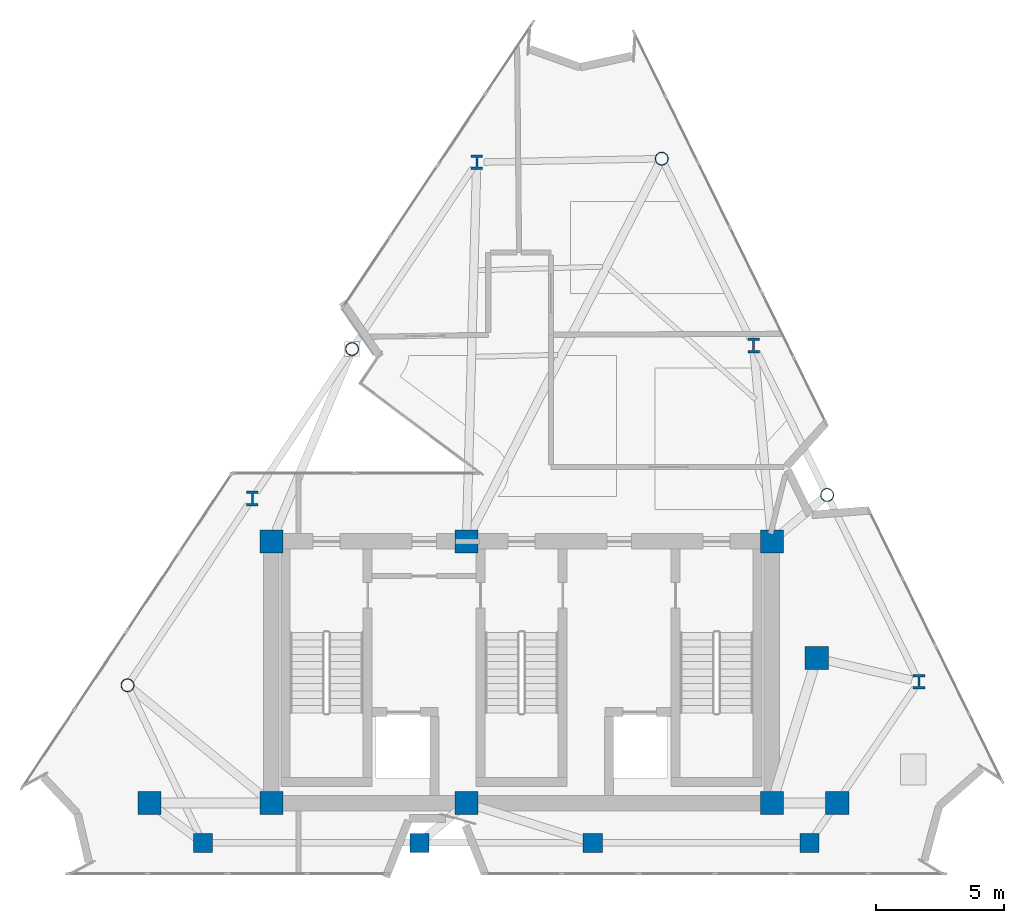
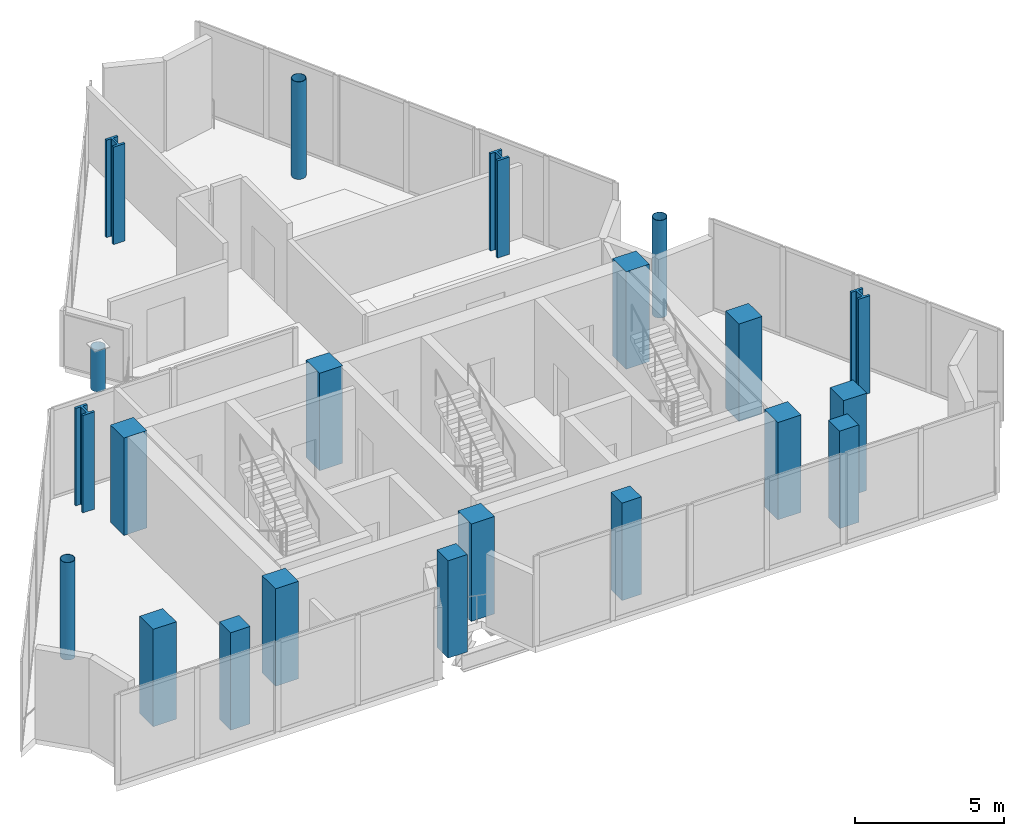
# One storey, part 1 of 9: 21 columns.
"""IFC4 building model written with IfcOpenShell, lengths in metres."""

from ifc_helpers import new_model, si_unit, direction, frame, origin, origin_2d, place, context, subcontext, project, spatial, rectangle, hollow_circle, i_section, extrude, material, material_profile, profile_set, type_object, element, save


model = new_model("IFC4")

# Units and contexts
model_context = context("Model", 3, precision=1e-05, world=origin(), true_north=direction((0.0, 1.0)))
body_context = subcontext(model_context, "Body", "Model", "MODEL_VIEW")
ifc_project = project(units=[si_unit("LENGTHUNIT", "METRE"), si_unit("AREAUNIT", "SQUARE_METRE"), si_unit("VOLUMEUNIT", "CUBIC_METRE"), si_unit("PLANEANGLEUNIT", "RADIAN"), si_unit("MASSUNIT", "GRAM", prefix="KILO")], contexts=[model_context])

# Site, building, storey
site_placement = place(None, origin())
site = spatial("IfcSite", under=ifc_project, at=site_placement, CompositionType="ELEMENT")
building_placement = place(site_placement, origin())
building = spatial("IfcBuilding", under=site, at=building_placement, Name="Almagre Mirador Tower", CompositionType="ELEMENT")
storey_placement = place(building_placement, frame((0.0, 0.0, 314.5)))
storey = spatial("IfcBuildingStorey", under=building, at=storey_placement, Name="L81", CompositionType="ELEMENT", Elevation=314.5)

# Columns
ifc_material_1 = material(Name="Concrete C60/75", Category="concrete")
ifc_material_profile_1 = material_profile(ifc_material_1, rectangle(XDim=0.75, YDim=0.75, at=origin_2d()), Name="RC750X750")
ifc_profile_set_1 = profile_set([ifc_material_profile_1], Name="Concrete C60/75")
column_type_1 = type_object("IfcColumnType", Name="COL-RC750", PredefinedType="COLUMN", material=ifc_profile_set_1)
for number, where, z_axis, x_axis, name in (
    (1, (24.884033203125, 3.0, 0.0), (0.0, 0.0, 1.0), (1.0, 0.0, 0.0), "L81 perimeter column PC01"),
    (2, (33.323974609375, 3.0, 0.0), (0.0, 0.0, 1.0), (1.0, 0.0, 0.0), "L81 perimeter column PC02"),
    (3, (40.075927734375, 3.0, 0.0), (0.0, 0.0, 1.0), (1.0, 0.0, 0.0), "L81 perimeter column PC03"),
    (4, (48.51611328125, 3.0, 0.0), (0.0, 0.0, 1.0), (1.0, 0.0, 0.0), "L81 perimeter column PC04"),
):
    element("IfcColumn", number, at=place(storey_placement, frame(where, z_axis=z_axis, x_axis=x_axis)), inside=storey, type_object=column_type_1, Name=name, PredefinedType="COLUMN", context=body_context, shape_type="SweptSolid", body=[
        extrude(rectangle(XDim=0.75, YDim=0.75, at=origin_2d()), origin(), (0.0, 0.0, 1.0), 4.0),
    ])
ifc_material_2 = material(Name="Concrete C60/75", Category="concrete")
ifc_material_profile_2 = material_profile(ifc_material_2, rectangle(XDim=0.89990234375, YDim=0.89990234375, at=origin_2d()), Name="RC900X900")
ifc_profile_set_2 = profile_set([ifc_material_profile_2], Name="Concrete C60/75")
column_type_2 = type_object("IfcColumnType", Name="COL-RC900", PredefinedType="COLUMN", material=ifc_profile_set_2)
for number, where, z_axis, x_axis, name in (
    (5, (27.550048828125, 4.550048828125, 0.0), (0.0, 0.0, 1.0), (1.0, 0.0, 0.0), "L81 core spine column CC1"),
    (6, (35.14990234375, 4.550048828125, 0.0), (0.0, 0.0, 1.0), (1.0, 0.0, 0.0), "L81 core spine column CC2"),
    (7, (47.050048828125, 4.550048828125, 0.0), (0.0, 0.0, 1.0), (1.0, 0.0, 0.0), "L81 core spine column CC3"),
    (8, (27.550048828125, 14.75, 0.0), (0.0, 0.0, 1.0), (1.0, 0.0, 0.0), "L81 core spine column CC4"),
    (9, (35.14990234375, 14.75, 0.0), (0.0, 0.0, 1.0), (1.0, 0.0, 0.0), "L81 core spine column CC5"),
    (10, (47.050048828125, 14.75, 0.0), (0.0, 0.0, 1.0), (1.0, 0.0, 0.0), "L81 core spine column CC6"),
    (11, (22.800048828125, 4.550048828125, 0.0), (0.0, 0.0, 1.0), (1.0, 0.0, 0.0), "L81 interior transfer column MC1"),
    (12, (49.60009765625, 4.550048828125, 0.0), (0.0, 0.0, 1.0), (1.0, 0.0, 0.0), "L81 interior transfer column MC2"),
    (13, (48.800048828125, 10.199951171875, 0.0), (0.0, 0.0, 1.0), (1.0, 0.0, 0.0), "L81 interior transfer column MC3"),
):
    element("IfcColumn", number, at=place(storey_placement, frame(where, z_axis=z_axis, x_axis=x_axis)), inside=storey, type_object=column_type_2, Name=name, PredefinedType="COLUMN", context=body_context, shape_type="SweptSolid", body=[
        extrude(rectangle(XDim=0.89990234375, YDim=0.89990234375, at=origin_2d()), origin(), (0.0, 0.0, 1.0), 4.0),
    ])
ifc_material_3 = material(Name="Steel ASTM A500 Grade C", Category="steel")
ifc_material_profile_3 = material_profile(ifc_material_3, hollow_circle(Radius=0.25390625, WallThickness=0.01611328125, at=origin_2d()), Name="CHS508X16")
ifc_profile_set_3 = profile_set([ifc_material_profile_3], Name="Steel ASTM A500 Grade C")
column_type_3 = type_object("IfcColumnType", Name="COL-STL-CHS508", PredefinedType="COLUMN", material=ifc_profile_set_3)
for number, where, z_axis, x_axis, name in (
    (14, (49.205078125, 16.55810546875, 0.0), (0.0, 0.0, 1.0), (1.0, 0.0, 0.0), "L81 perimeter column PC06"),
    (15, (42.760986328125, 29.662109375, 0.0), (0.0, 0.0, 1.0), (1.0, 0.0, 0.0), "L81 perimeter column PC08"),
):
    element("IfcColumn", number, at=place(storey_placement, frame(where, z_axis=z_axis, x_axis=x_axis)), inside=storey, type_object=column_type_3, Name=name, PredefinedType="COLUMN", context=body_context, shape_type="SweptSolid", body=[
        extrude(hollow_circle(Radius=0.25390625, WallThickness=0.01611328125, at=origin_2d()), origin(), (0.0, 0.0, 1.0), 4.0),
    ])
column_1_placement = place(storey_placement, frame((30.69189453125, 22.24609375, 0.0), z_axis=(0.0, 0.0, 1.0), x_axis=(1.0, 0.0, 0.0)))
element("IfcColumn", 16, at=column_1_placement, inside=storey, type_object=column_type_3, Name="L81 perimeter column PC10", PredefinedType="COLUMN", context=body_context, shape_type="SweptSolid", body=[
    extrude(hollow_circle(Radius=0.25390625, WallThickness=0.01611328125, at=origin_2d()), origin(), (0.0, 0.0, 1.0), 1.718017578125),
])
column_2_placement = place(storey_placement, frame((21.944091796875, 9.14208984375, 0.0), z_axis=(0.0, 0.0, 1.0), x_axis=(1.0, 0.0, 0.0)))
element("IfcColumn", 17, at=column_2_placement, inside=storey, type_object=column_type_3, Name="L81 perimeter column PC12", PredefinedType="COLUMN", context=body_context, shape_type="SweptSolid", body=[
    extrude(hollow_circle(Radius=0.25390625, WallThickness=0.01611328125, at=origin_2d()), origin(), (0.0, 0.0, 1.0), 4.0),
])
ifc_material_4 = material(Name="Steel ASTM A992 Grade 50", Category="steel")
ifc_material_profile_4 = material_profile(ifc_material_4, i_section(OverallWidth=0.4541015625, OverallDepth=0.570068359375, WebThickness=0.077880859375, FlangeThickness=0.093994140625, FilletRadius=0.02001953125, at=origin_2d()), Name="W14X730")
ifc_profile_set_4 = profile_set([ifc_material_profile_4], Name="Steel ASTM A992 Grade 50")
column_type_4 = type_object("IfcColumnType", Name="COL-STL-W14X730", PredefinedType="COLUMN", material=ifc_profile_set_4)
for number, where, z_axis, x_axis, name in (
    (18, (52.784912109375, 9.278076171875, 0.0), (0.0, 0.0, 1.0), (1.0, 0.0, 0.0), "L81 perimeter column PC05"),
    (19, (46.341064453125, 22.382080078125, 0.0), (0.0, 0.0, 1.0), (1.0, 0.0, 0.0), "L81 perimeter column PC07"),
    (20, (35.552001953125, 29.52587890625, 0.0), (0.0, 0.0, 1.0), (1.0, 0.0, 0.0), "L81 perimeter column PC09"),
    (21, (26.803955078125, 16.422119140625, 0.0), (0.0, 0.0, 1.0), (1.0, 0.0, 0.0), "L81 perimeter column PC11"),
):
    element("IfcColumn", number, at=place(storey_placement, frame(where, z_axis=z_axis, x_axis=x_axis)), inside=storey, type_object=column_type_4, Name=name, PredefinedType="COLUMN", context=body_context, shape_type="SweptSolid", body=[
        extrude(i_section(OverallWidth=0.4541015625, OverallDepth=0.570068359375, WebThickness=0.077880859375, FlangeThickness=0.093994140625, FilletRadius=0.02001953125, at=origin_2d()), origin(), (0.0, 0.0, 1.0), 4.0),
    ])

save(model, "model.ifc")
